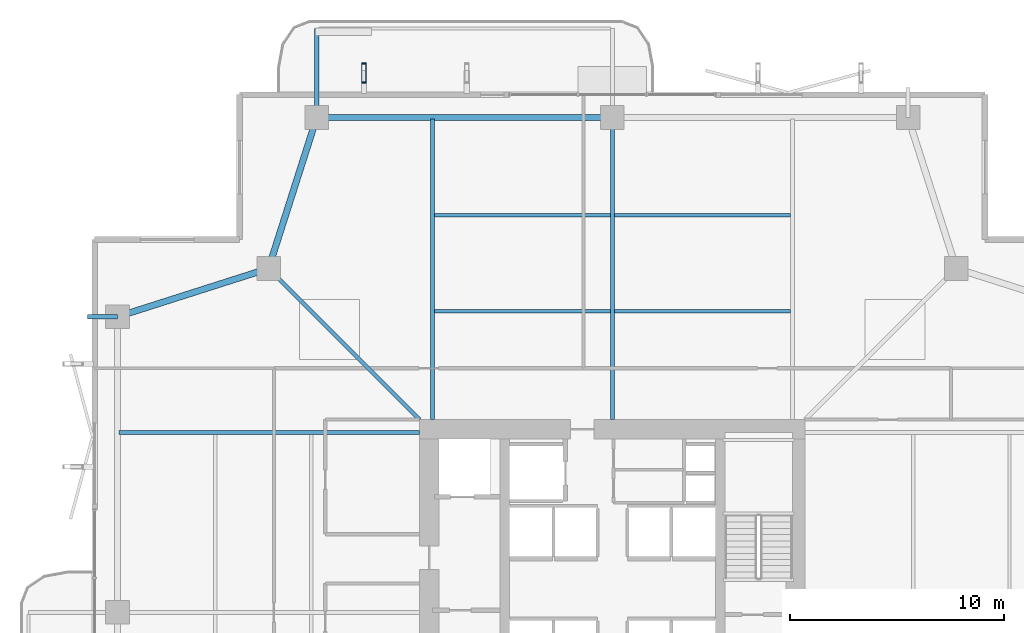
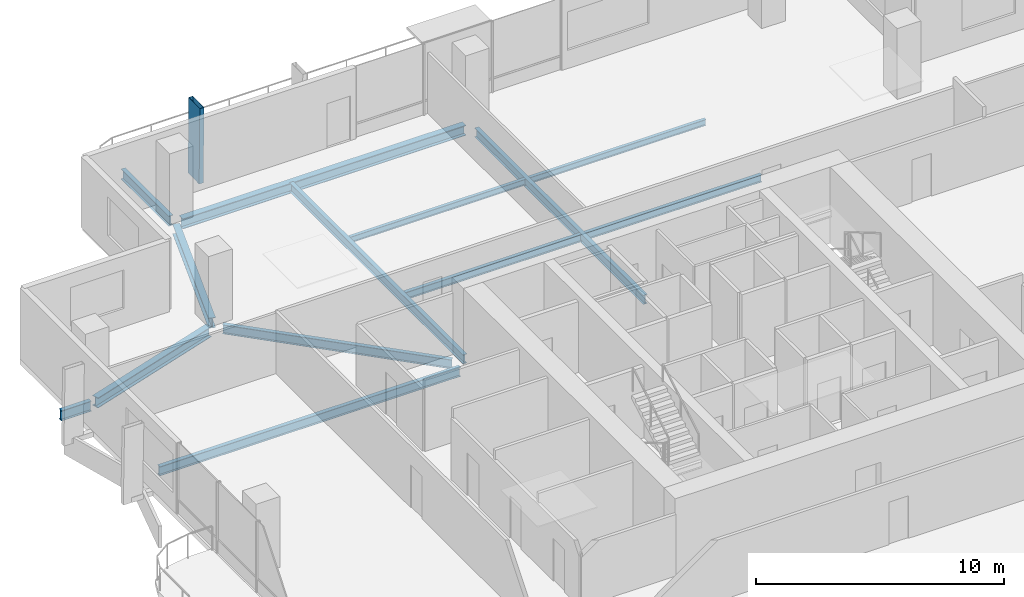
# One storey, part 12 of 25: 13 beams, 1 member.
"""IFC4 building model written with IfcOpenShell, lengths in metres."""

from ifc_helpers import new_model, si_unit, direction, frame, origin, origin_2d, place, context, subcontext, project, spatial, hollow_rectangle, i_section, extrude, material, material_profile, profile_set, type_object, element, save


model = new_model("IFC4")

# Units and contexts
model_context = context("Model", 3, precision=1e-05, world=origin(), true_north=direction((0.0, 1.0)))
body_context = subcontext(model_context, "Body", "Model", "MODEL_VIEW")
ifc_project = project(units=[si_unit("LENGTHUNIT", "METRE"), si_unit("AREAUNIT", "SQUARE_METRE"), si_unit("VOLUMEUNIT", "CUBIC_METRE"), si_unit("PLANEANGLEUNIT", "RADIAN"), si_unit("MASSUNIT", "GRAM", prefix="KILO")], contexts=[model_context])

# Site, building, storey
site_placement = place(None, origin())
site = spatial("IfcSite", under=ifc_project, at=site_placement, CompositionType="ELEMENT")
building_placement = place(site_placement, origin())
building = spatial("IfcBuilding", under=site, at=building_placement, Name="Belovzor Exchange Tower", CompositionType="ELEMENT")
storey_placement = place(building_placement, frame((0.0, 0.0, 175.800048828125)))
storey = spatial("IfcBuildingStorey", under=building, at=storey_placement, Name="L43", CompositionType="ELEMENT", Elevation=175.800048828125)

# Beams
ifc_material_1 = material(Name="Steel S355", Category="steel")
ifc_material_profile_1 = material_profile(ifc_material_1, i_section(OverallWidth=0.199951171875, OverallDepth=0.5, WebThickness=0.01025390625, FlangeThickness=0.01611328125, at=origin_2d()))
ifc_profile_set_1 = profile_set([ifc_material_profile_1], Name="Steel S355")
beam_type_1 = type_object("IfcBeamType", Name="Planted Balcony Cantilever Beam IPE 500", PredefinedType="BEAM", material=ifc_profile_set_1)
beam_1_placement = place(storey_placement, frame((15.0, 52.202880859375, -0.505126953125), z_axis=(0.0, 1.0, 0.0), x_axis=(-1.0, 0.0, 0.0)))
element("IfcBeam", 1, at=beam_1_placement, inside=storey, type_object=beam_type_1, Name="BC-500 Planted Balcony Cantilever Beam IPE 500", PredefinedType="BEAM", context=body_context, shape_type="SweptSolid", body=[
    extrude(i_section(OverallWidth=0.199951171875, OverallDepth=0.5, WebThickness=0.01025390625, FlangeThickness=0.01611328125, at=origin_2d()), origin(), (0.0, 0.0, 1.0), 3.85009765625),
])
beam_2_placement = place(storey_placement, frame((5.699951171875, 42.60009765625, -0.505126953125), z_axis=(-1.0, 0.0, 0.0), x_axis=(0.0, -1.0, 0.0)))
element("IfcBeam", 2, at=beam_2_placement, inside=storey, type_object=beam_type_1, Name="BC-500 Planted Balcony Cantilever Beam IPE 500", PredefinedType="BEAM", context=body_context, shape_type="SweptSolid", body=[
    extrude(i_section(OverallWidth=0.199951171875, OverallDepth=0.5, WebThickness=0.01025390625, FlangeThickness=0.01611328125, at=origin_2d()), origin(), (0.0, 0.0, 1.0), 1.39990234375),
])
ifc_material_2 = material(Name="Steel S355", Category="steel")
ifc_material_profile_2 = material_profile(ifc_material_2, i_section(OverallWidth=0.169921875, OverallDepth=0.360107421875, WebThickness=0.008056640625, FlangeThickness=0.0126953125, at=origin_2d()))
ifc_profile_set_2 = profile_set([ifc_material_profile_2], Name="Steel S355")
beam_type_2 = type_object("IfcBeamType", Name="Secondary Infill Floor Joist IPE 360", PredefinedType="BEAM", material=ifc_profile_set_2)
for number, where, z_axis, x_axis, name in (
    (3, (20.4951171875, 42.84912109375, -0.43505859375), (1.0, 0.0, 0.0), (0.0, 1.0, 0.0), "FJ-360 Secondary Infill Floor Joist IPE 360"),
    (4, (28.89501953125, 42.84912109375, -0.43505859375), (1.0, 0.0, 0.0), (0.0, 1.0, 0.0), "FJ-360 Secondary Infill Floor Joist IPE 360"),
):
    element("IfcBeam", number, at=place(storey_placement, frame(where, z_axis=z_axis, x_axis=x_axis)), inside=storey, type_object=beam_type_2, Name=name, PredefinedType="BEAM", context=body_context, shape_type="SweptSolid", body=[
        extrude(i_section(OverallWidth=0.169921875, OverallDepth=0.360107421875, WebThickness=0.008056640625, FlangeThickness=0.0126953125, at=origin_2d()), origin(), (0.0, 0.0, 1.0), 8.2099609375),
    ])
ifc_material_3 = material(Name="Steel S355", Category="steel")
ifc_material_profile_3 = material_profile(ifc_material_3, i_section(OverallWidth=0.14990234375, OverallDepth=0.300048828125, WebThickness=0.007080078125, FlangeThickness=0.0107421875, at=origin_2d()))
ifc_profile_set_3 = profile_set([ifc_material_profile_3], Name="Steel S355")
beam_type_3 = type_object("IfcBeamType", Name="Secondary Trim Floor Joist IPE 300", PredefinedType="BEAM", material=ifc_profile_set_3)
for number, where, z_axis, x_axis, name in (
    (5, (20.4951171875, 47.3369140625, -0.405029296875), (1.0, 0.0, 0.0), (0.0, 1.0, 0.0), "FJ-300 Secondary Trim Floor Joist IPE 300"),
    (6, (28.89501953125, 47.3369140625, -0.405029296875), (1.0, 0.0, 0.0), (0.0, 1.0, 0.0), "FJ-300 Secondary Trim Floor Joist IPE 300"),
):
    element("IfcBeam", number, at=place(storey_placement, frame(where, z_axis=z_axis, x_axis=x_axis)), inside=storey, type_object=beam_type_3, Name=name, PredefinedType="BEAM", context=body_context, shape_type="SweptSolid", body=[
        extrude(i_section(OverallWidth=0.14990234375, OverallDepth=0.300048828125, WebThickness=0.007080078125, FlangeThickness=0.0107421875, at=origin_2d()), origin(), (0.0, 0.0, 1.0), 8.2099609375),
    ])

# Member
ifc_material_4 = material(Name="Extruded Architectural Terracotta on Steel S355 Carrier", Category="masonry")
ifc_material_profile_4 = material_profile(ifc_material_4, hollow_rectangle(XDim=0.199951171875, YDim=0.89990234375, WallThickness=0.011962890625, at=origin_2d()))
ifc_profile_set_4 = profile_set([ifc_material_profile_4], Name="Extruded Architectural Terracotta on Steel S355 Carrier")
member_type = type_object("IfcMemberType", Name="Sweeping Terracotta Baguette Fin Assembly 1250", PredefinedType="USERDEFINED", material=ifc_profile_set_4)
member_placement = place(storey_placement, frame((17.199951171875, 54.010986328125, -0.255126953125), z_axis=(0.0, -0.01549293194, 0.999879977327), x_axis=(1.0, 0.0, 0.0)))
element("IfcMember", 7, at=member_placement, inside=storey, type_object=member_type, Name="FIN-TC125 Terracotta Facade Fin L43 N1", ObjectType="FIN", PredefinedType="USERDEFINED", context=body_context, shape_type="SweptSolid", body=[
    extrude(hollow_rectangle(XDim=0.199951171875, YDim=0.89990234375, WallThickness=0.011962890625, at=origin_2d()), origin(), (0.0, 0.0, 1.0), 3.75048828125),
])

# Beams
ifc_material_5 = material(Name="Steel S355", Category="steel")
ifc_material_profile_5 = material_profile(ifc_material_5, i_section(OverallWidth=0.18994140625, OverallDepth=0.449951171875, WebThickness=0.009521484375, FlangeThickness=0.0146484375, at=origin_2d()))
ifc_profile_set_5 = profile_set([ifc_material_profile_5], Name="Steel S355")
beam_type_4 = type_object("IfcBeamType", Name="Zone 2-4 Radial Composite Floor Beam IPE 450", PredefinedType="BEAM", material=ifc_profile_set_5)
beam_3_placement = place(storey_placement, frame((20.39990234375, 37.800048828125, -0.47998046875), z_axis=(0.0, 1.0, 0.0), x_axis=(-1.0, 0.0, 0.0)))
element("IfcBeam", 8, at=beam_3_placement, inside=storey, type_object=beam_type_4, Name="FB-450 Zone 2-4 Radial Composite Floor Beam IPE 450", PredefinedType="BEAM", context=body_context, shape_type="SweptSolid", body=[
    extrude(i_section(OverallWidth=0.18994140625, OverallDepth=0.449951171875, WebThickness=0.009521484375, FlangeThickness=0.0146484375, at=origin_2d()), origin(), (0.0, 0.0, 1.0), 14.02490234375),
])
beam_4_placement = place(storey_placement, frame((28.800048828125, 37.800048828125, -0.47998046875), z_axis=(0.0, 1.0, 0.0), x_axis=(-1.0, 0.0, 0.0)))
element("IfcBeam", 9, at=beam_4_placement, inside=storey, type_object=beam_type_4, Name="FB-450 Zone 2-4 Radial Composite Floor Beam IPE 450", PredefinedType="BEAM", context=body_context, shape_type="SweptSolid", body=[
    extrude(i_section(OverallWidth=0.18994140625, OverallDepth=0.449951171875, WebThickness=0.009521484375, FlangeThickness=0.0146484375, at=origin_2d()), origin(), (0.0, 0.0, 1.0), 13.615966796875),
])
beam_5_placement = place(storey_placement, frame((19.800048828125, 37.199951171875, -0.47998046875), z_axis=(-1.0, 0.0, 0.0), x_axis=(0.0, -1.0, 0.0)))
element("IfcBeam", 10, at=beam_5_placement, inside=storey, type_object=beam_type_4, Name="FB-450 Zone 2-4 Radial Composite Floor Beam IPE 450", PredefinedType="BEAM", context=body_context, shape_type="SweptSolid", body=[
    extrude(i_section(OverallWidth=0.18994140625, OverallDepth=0.449951171875, WebThickness=0.009521484375, FlangeThickness=0.0146484375, at=origin_2d()), origin(), (0.0, 0.0, 1.0), 14.025146484375),
])
beam_6_placement = place(storey_placement, frame((19.800048828125, 37.800048828125, -0.47998046875), z_axis=(-0.707119521505, 0.707094040639, 0.0), x_axis=(-0.707094040639, -0.707119521505, 0.0)))
element("IfcBeam", 11, at=beam_6_placement, inside=storey, type_object=beam_type_4, Name="FB-450 Zone 2-4 Radial Composite Floor Beam IPE 450", PredefinedType="BEAM", context=body_context, shape_type="SweptSolid", body=[
    extrude(i_section(OverallWidth=0.18994140625, OverallDepth=0.449951171875, WebThickness=0.009521484375, FlangeThickness=0.0146484375, at=origin_2d()), origin(), (0.0, 0.0, 1.0), 9.581298828125),
])
ifc_material_6 = material(Name="Steel S355", Category="steel")
ifc_material_profile_6 = material_profile(ifc_material_6, i_section(OverallWidth=0.300048828125, OverallDepth=0.5, WebThickness=0.014404296875, FlangeThickness=0.028076171875, at=origin_2d()))
ifc_profile_set_6 = profile_set([ifc_material_profile_6], Name="Steel S355")
beam_type_5 = type_object("IfcBeamType", Name="Zone 3 Waist Primary Girder HEB 500", PredefinedType="BEAM", material=ifc_profile_set_6)
beam_7_placement = place(storey_placement, frame((28.498046875, 51.89990234375, -0.505126953125), z_axis=(-1.0, 0.0, 0.0), x_axis=(0.0, -1.0, 0.0)))
element("IfcBeam", 12, at=beam_7_placement, inside=storey, type_object=beam_type_5, Name="FG-Z3 Zone 3 Waist Primary Girder HEB 500", PredefinedType="BEAM", context=body_context, shape_type="SweptSolid", body=[
    extrude(i_section(OverallWidth=0.300048828125, OverallDepth=0.5, WebThickness=0.014404296875, FlangeThickness=0.028076171875, at=origin_2d()), origin(), (0.0, 0.0, 1.0), 13.195068359375),
])
for number, where, z_axis, x_axis, name in (
    (13, (14.907958984375, 51.612060546875, -0.505126953125), (-0.304001325621, -0.952671608699, 0.0), (0.952671608699, -0.304001325621, 0.0), "FG-Z3 Zone 3 Waist Primary Girder HEB 500"),
    (14, (12.4619140625, 44.758056640625, -0.505126953125), (-0.952657882792, -0.304044336164, 0.0), (0.304044336164, -0.952657882792, 0.0), "FG-Z3 Zone 3 Waist Primary Girder HEB 500"),
):
    element("IfcBeam", number, at=place(storey_placement, frame(where, z_axis=z_axis, x_axis=x_axis)), inside=storey, type_object=beam_type_5, Name=name, PredefinedType="BEAM", context=body_context, shape_type="SweptSolid", body=[
        extrude(i_section(OverallWidth=0.300048828125, OverallDepth=0.5, WebThickness=0.014404296875, FlangeThickness=0.028076171875, at=origin_2d()), origin(), (0.0, 0.0, 1.0), 6.795654296875),
    ])

save(model, "model.ifc")
